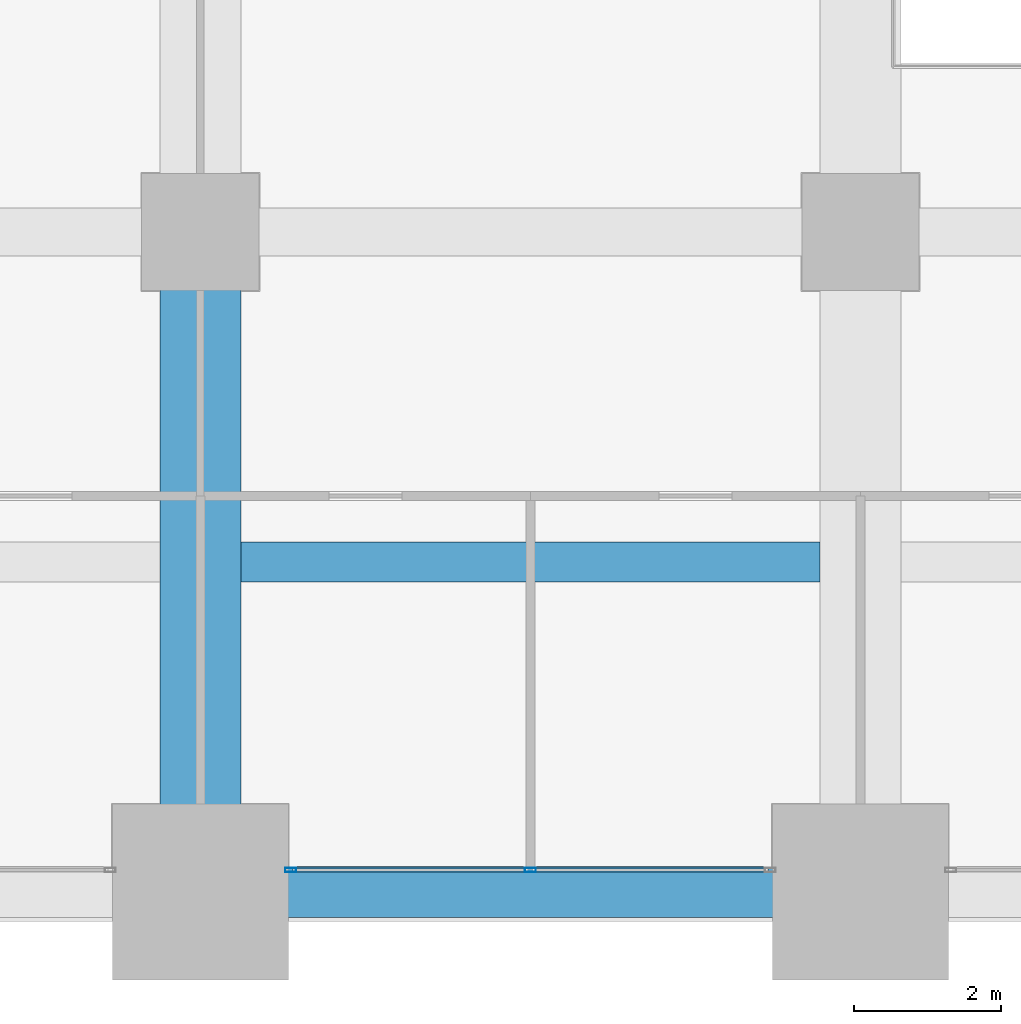
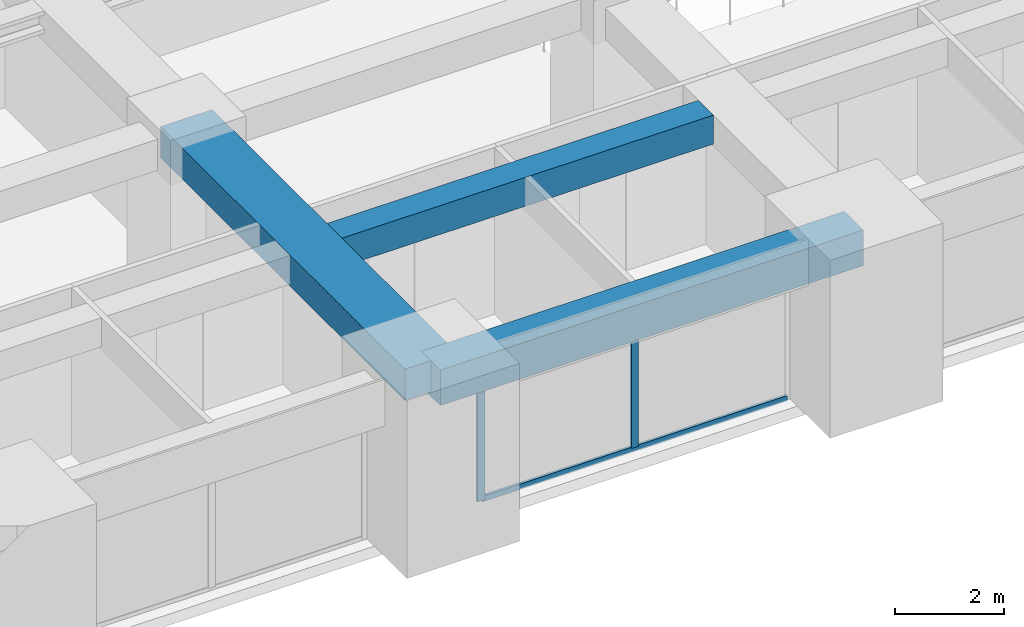
# One storey, part 7 of 33: 3 beams, 3 members, 1 element without a shape of its own.
"""IFC4 building model written with IfcOpenShell, lengths in metres."""

from ifc_helpers import new_model, si_unit, direction, frame, origin, origin_2d, place, context, subcontext, project, spatial, rectangle, hollow_rectangle, extrude, material, material_profile, profile_set, type_object, element, aggregate, save


model = new_model("IFC4")

# Units and contexts
model_context = context("Model", 3, precision=1e-05, world=origin(), true_north=direction((0.0, 1.0)))
body_context = subcontext(model_context, "Body", "Model", "MODEL_VIEW")
ifc_project = project(units=[si_unit("LENGTHUNIT", "METRE"), si_unit("AREAUNIT", "SQUARE_METRE"), si_unit("VOLUMEUNIT", "CUBIC_METRE"), si_unit("PLANEANGLEUNIT", "RADIAN"), si_unit("MASSUNIT", "GRAM", prefix="KILO")], contexts=[model_context])

# Site, building, storey
site_placement = place(None, origin())
site = spatial("IfcSite", under=ifc_project, at=site_placement, CompositionType="ELEMENT")
building_placement = place(site_placement, origin())
building = spatial("IfcBuilding", under=site, at=building_placement, Name="Zorevar Civic Tower", CompositionType="ELEMENT")
storey_placement = place(building_placement, frame((0.0, 0.0, 178.199951171875)))
storey = spatial("IfcBuildingStorey", under=building, at=storey_placement, Name="L43", CompositionType="ELEMENT", Elevation=178.199951171875)

# Beams
ifc_material_1 = material(Name="Concrete C50/60", Category="concrete")
ifc_material_profile_1 = material_profile(ifc_material_1, rectangle(XDim=1.10009765625, YDim=0.699951171875, at=origin_2d()), Name="RC 1100x700")
ifc_profile_set_1 = profile_set([ifc_material_profile_1], Name="Concrete C50/60")
beam_type_1 = type_object("IfcBeamType", Name="Beam RC 1100x700", PredefinedType="BEAM", material=ifc_profile_set_1)
beam_1_placement = place(storey_placement, frame((27.0, 0.0, 3.400146484375), z_axis=(0.0, 1.0, 0.0), x_axis=(-1.0, 0.0, 0.0)))
element("IfcBeam", 1, at=beam_1_placement, inside=storey, type_object=beam_type_1, Name="Girder L44", PredefinedType="BEAM", context=body_context, shape_type="SweptSolid", body=[
    extrude(rectangle(XDim=1.10009765625, YDim=0.699951171875, at=origin_2d()), origin(), (0.0, 0.0, 1.0), 9.0),
])
ifc_material_2 = material(Name="Concrete C50/60", Category="concrete")
ifc_material_profile_2 = material_profile(ifc_material_2, rectangle(XDim=0.550048828125, YDim=0.64990234375, at=origin_2d()), Name="RC 550x650")
ifc_profile_set_2 = profile_set([ifc_material_profile_2], Name="Concrete C50/60")
beam_type_2 = type_object("IfcBeamType", Name="Beam RC 550x650", PredefinedType="BEAM", material=ifc_profile_set_2)
beam_2_placement = place(storey_placement, frame((27.550048828125, 4.5, 3.425048828125), z_axis=(1.0, 0.0, 0.0), x_axis=(0.0, 1.0, 0.0)))
element("IfcBeam", 2, at=beam_2_placement, inside=storey, type_object=beam_type_2, Name="Secondary beam L44", PredefinedType="BEAM", context=body_context, shape_type="SweptSolid", body=[
    extrude(rectangle(XDim=0.550048828125, YDim=0.64990234375, at=origin_2d()), origin(), (0.0, 0.0, 1.0), 7.89990234375),
])

# Curtain wall, members
ifc_material_3 = material(Name="Dark grey solar-control glass in black aluminium frame", Category="aluminium")
curtain_wall_type = type_object("IfcCurtainWallType", Name="Curtain wall CW4 high zone", PredefinedType="NOTDEFINED", material=ifc_material_3)
curtain_wall_placement = place(storey_placement, origin())
curtain_wall = element("IfcCurtainWall", 3, at=curtain_wall_placement, inside=storey, type_object=curtain_wall_type, Name="CW4 L43", PredefinedType="NOTDEFINED")
ifc_material_4 = material(Name="Aluminium, black anodised", Category="aluminium")
ifc_material_profile_3 = material_profile(ifc_material_4, hollow_rectangle(XDim=0.06005859375, YDim=0.14990234375, WallThickness=0.00390625, at=origin_2d()), Name="AL 150x60x4")
ifc_profile_set_3 = profile_set([ifc_material_profile_3], Name="Aluminium, black anodised")
member_type_1 = type_object("IfcMemberType", Name="CW4 mullion AL 150x60x4", PredefinedType="MULLION", material=ifc_profile_set_3)
member_1_placement = place(storey_placement, frame((28.22998046875, 0.300048828125, 0.0), z_axis=(0.0, 0.0, 1.0), x_axis=(0.0, 1.0, 0.0)))
member_1 = element("IfcMember", 4, at=member_1_placement, type_object=member_type_1, Name="CW4 mullion 1", PredefinedType="MULLION", context=body_context, shape_type="SweptSolid", body=[
    extrude(hollow_rectangle(XDim=0.06005859375, YDim=0.14990234375, WallThickness=0.00390625, at=origin_2d()), origin(), (0.0, 0.0, 1.0), 2.949951171875),
])
member_2_placement = place(storey_placement, frame((31.5, 0.300048828125, 0.06005859375), z_axis=(0.0, 0.0, 1.0), x_axis=(0.0, 1.0, 0.0)))
member_2 = element("IfcMember", 5, at=member_2_placement, type_object=member_type_1, Name="CW4 mullion 2", PredefinedType="MULLION", context=body_context, shape_type="SweptSolid", body=[
    extrude(hollow_rectangle(XDim=0.06005859375, YDim=0.14990234375, WallThickness=0.00390625, at=origin_2d()), origin(), (0.0, 0.0, 1.0), 2.889892578125),
])
ifc_material_5 = material(Name="Aluminium, black anodised", Category="aluminium")
ifc_material_profile_4 = material_profile(ifc_material_5, hollow_rectangle(XDim=0.06005859375, YDim=0.1201171875, WallThickness=0.0029296875, at=origin_2d()), Name="AL 120x60x3")
ifc_profile_set_4 = profile_set([ifc_material_profile_4], Name="Aluminium, black anodised")
member_type_2 = type_object("IfcMemberType", Name="CW4 transom AL 120x60x3", PredefinedType="USERDEFINED", material=ifc_profile_set_4)
member_3_placement = place(storey_placement, frame((28.260009765625, 0.300048828125, 0.030029296875), z_axis=(1.0, 0.0, 0.0), x_axis=(0.0, 1.0, 0.0)))
member_3 = element("IfcMember", 6, at=member_3_placement, type_object=member_type_2, Name="CW4 sill transom", ObjectType="TRANSOM", PredefinedType="USERDEFINED", context=body_context, shape_type="SweptSolid", body=[
    extrude(hollow_rectangle(XDim=0.06005859375, YDim=0.1201171875, WallThickness=0.0029296875, at=origin_2d()), origin(), (0.0, 0.0, 1.0), 6.47998046875),
])
aggregate(curtain_wall, [member_1, member_2, member_3])

# Beam
ifc_material_6 = material(Name="Concrete C50/60", Category="concrete")
ifc_material_profile_5 = material_profile(ifc_material_6, rectangle(XDim=0.699951171875, YDim=0.800048828125, at=origin_2d()), Name="RC 700x800")
ifc_profile_set_5 = profile_set([ifc_material_profile_5], Name="Concrete C50/60")
beam_type_3 = type_object("IfcBeamType", Name="Edge beam RC 700x800", PredefinedType="SPANDREL", material=ifc_profile_set_5)
beam_3_placement = place(storey_placement, frame((27.0, 0.0, 3.35009765625), z_axis=(1.0, 0.0, 0.0), x_axis=(0.0, 1.0, 0.0)))
element("IfcBeam", 7, at=beam_3_placement, inside=storey, type_object=beam_type_3, Name="Edge beam L44", PredefinedType="SPANDREL", context=body_context, shape_type="SweptSolid", body=[
    extrude(rectangle(XDim=0.699951171875, YDim=0.800048828125, at=origin_2d()), origin(), (0.0, 0.0, 1.0), 9.0),
])

save(model, "model.ifc")
